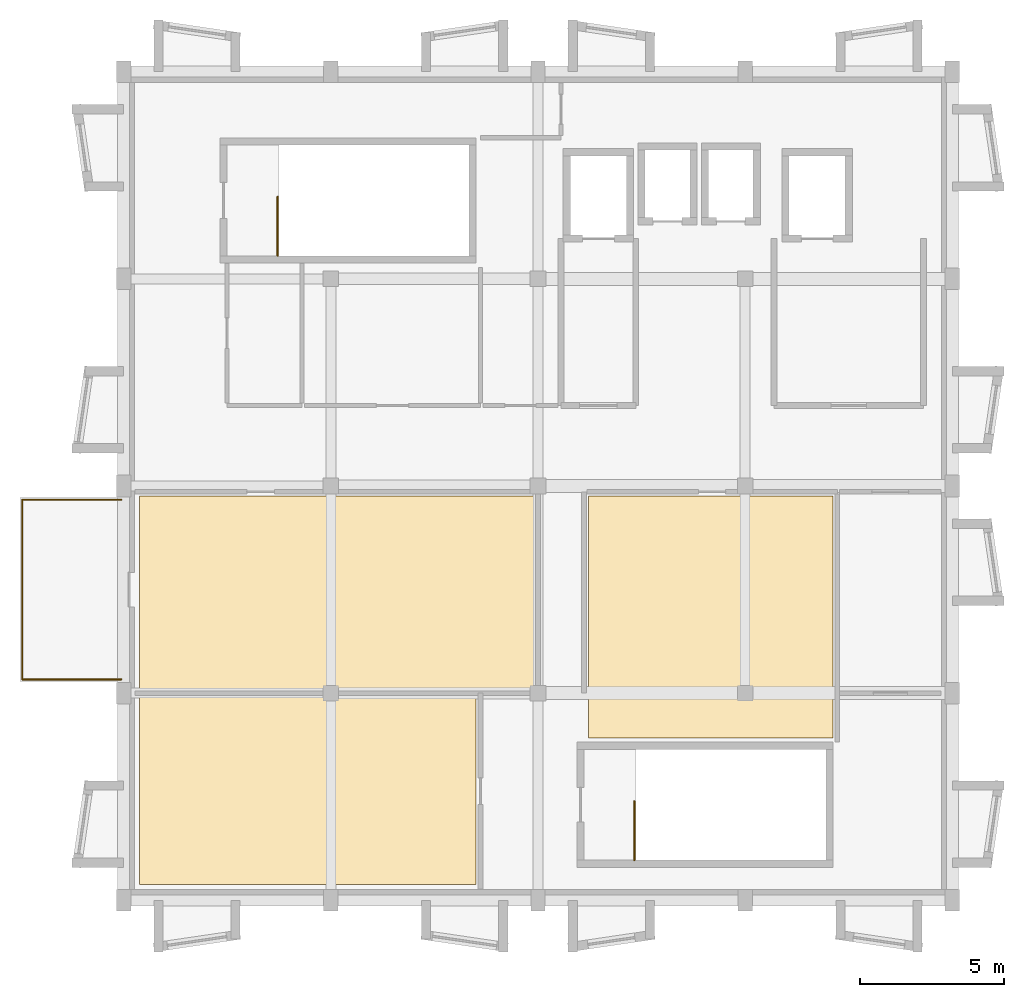
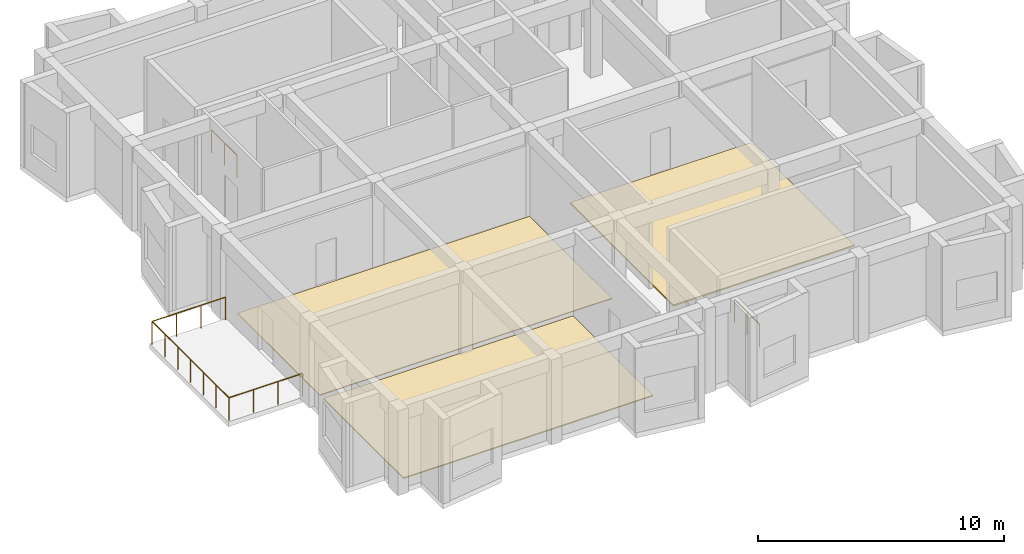
# One storey, part 5 of 5: 5 railings, 3 coverings.
"""IFC4 building model written with IfcOpenShell, lengths in metres."""

from ifc_helpers import new_model, si_unit, direction, frame, origin, origin_2d, place, context, subcontext, project, spatial, polyline, circle, outline, extrude, material, layer, layer_set, type_object, element, save


model = new_model("IFC4")

# Units and contexts
model_context = context("Model", 3, precision=1e-05, world=origin(), true_north=direction((0.0, 1.0)))
body_context = subcontext(model_context, "Body", "Model", "MODEL_VIEW")
ifc_project = project(units=[si_unit("LENGTHUNIT", "METRE"), si_unit("AREAUNIT", "SQUARE_METRE"), si_unit("VOLUMEUNIT", "CUBIC_METRE"), si_unit("PLANEANGLEUNIT", "RADIAN"), si_unit("MASSUNIT", "GRAM", prefix="KILO")], contexts=[model_context])

# Site, building, storey
site_placement = place(None, origin())
site = spatial("IfcSite", under=ifc_project, at=site_placement, CompositionType="ELEMENT")
building_placement = place(site_placement, origin())
building = spatial("IfcBuilding", under=site, at=building_placement, Name="Bramveld Media Centre", CompositionType="ELEMENT")
storey_placement = place(building_placement, frame((0.0, 0.0, 29.699951171875)))
storey = spatial("IfcBuildingStorey", under=building, at=storey_placement, Name="L07", CompositionType="ELEMENT", Elevation=29.699951171875)

# Coverings
ifc_material_1 = material(Name="Floating acoustic screed with smoked European oak studio flooring")
ifc_layer_1 = layer(ifc_material_1, 0.06494140625)
ifc_layer_set_1 = layer_set([ifc_layer_1], Name="Floating acoustic screed with smoked European oak studio flooring")
covering_type_1 = type_object("IfcCoveringType", Name="COV-FLOOR-01", PredefinedType="FLOORING", material=ifc_layer_set_1)
covering_1_placement = place(storey_placement, origin())
element("IfcCovering", 1, at=covering_1_placement, inside=storey, type_object=covering_type_1, Name="Civic Media Symposium & Press Hall finish flooring", PredefinedType="FLOORING", context=body_context, shape_type="SweptSolid", body=[
    extrude(outline(polyline([(147.35009765625, 88.85009765625), (155.85009765625, 88.85009765625), (155.85009765625, 97.25), (147.35009765625, 97.25), (147.35009765625, 88.85009765625)])), origin(), (0.0, 0.0, 1.0), 0.06494140625),
])
ifc_material_2 = material(Name="Honed Belgian bluestone (petit granit) public concourse flooring", Category="masonry")
ifc_layer_2 = layer(ifc_material_2, 0.050048828125)
ifc_layer_set_2 = layer_set([ifc_layer_2], Name="Honed Belgian bluestone (petit granit) public concourse flooring")
covering_type_2 = type_object("IfcCoveringType", Name="COV-FLOOR-02", PredefinedType="FLOORING", material=ifc_layer_set_2)
covering_2_placement = place(storey_placement, origin())
element("IfcCovering", 2, at=covering_2_placement, inside=storey, type_object=covering_type_2, Name="Panorama Broadcast Screening Studio finish flooring", PredefinedType="FLOORING", context=body_context, shape_type="SweptSolid", body=[
    extrude(outline(polyline([(131.75, 83.75), (143.449951171875, 83.75), (143.449951171875, 90.25), (131.75, 90.25), (131.75, 83.75)])), origin(), (0.0, 0.0, 1.0), 0.050048828125),
])
ifc_material_3 = material(Name="Anti-static acoustic linoleum editing & vault flooring")
ifc_layer_3 = layer(ifc_material_3, 0.0400390625)
ifc_layer_set_3 = layer_set([ifc_layer_3], Name="Anti-static acoustic linoleum editing & vault flooring")
covering_type_3 = type_object("IfcCoveringType", Name="COV-FLOOR-03", PredefinedType="FLOORING", material=ifc_layer_set_3)
covering_3_placement = place(storey_placement, origin())
element("IfcCovering", 3, at=covering_3_placement, inside=storey, type_object=covering_type_3, Name="Panorama Live Interview Studio finish flooring", PredefinedType="FLOORING", context=body_context, shape_type="SweptSolid", body=[
    extrude(outline(polyline([(131.75, 90.550048828125), (145.449951171875, 90.550048828125), (145.449951171875, 97.25), (131.75, 97.25), (131.75, 90.550048828125)])), origin(), (0.0, 0.0, 1.0), 0.0400390625),
])

# Railings
ifc_material_4 = material(Name="Painted galvanized steel stairwell guardrail", Category="steel")
railing_type_1 = type_object("IfcRailingType", Name="RAIL-STAIR-GUARD-1150", PredefinedType="GUARDRAIL", material=ifc_material_4)
for number, where, name in (
    (4, (136.550048828125, 105.60009765625, 0.0), "L07 ST-01 top well guard 1"),
    (5, (148.949951171875, 84.60009765625, 0.0), "L07 ST-02 top well guard 1"),
):
    element("IfcRailing", number, at=place(storey_placement, frame(where)), inside=storey, type_object=railing_type_1, Name=name, PredefinedType="GUARDRAIL", context=body_context, shape_type="SweptSolid", body=[
        extrude(circle(Radius=0.02392578125, at=origin_2d()), frame((0.0, 0.0, 1.1259765625), z_axis=(0.0, 1.0, 0.0), x_axis=(-1.0, 0.0, 0.0)), (0.0, 0.0, 1.0), 2.0498046875),
        extrude(circle(Radius=0.02099609375, at=origin_2d()), origin(), (0.0, 0.0, 1.0), 1.101806640625),
        extrude(circle(Radius=0.02099609375, at=origin_2d()), frame((0.0, 1.02490234375, 0.0)), (0.0, 0.0, 1.0), 1.101806640625),
        extrude(circle(Radius=0.02099609375, at=origin_2d()), frame((0.0, 2.0498046875, 0.0)), (0.0, 0.0, 1.0), 1.101806640625),
    ])
ifc_material_5 = material(Name="Powder-coated bronze galvanized steel balustrade", Category="steel")
railing_type_2 = type_object("IfcRailingType", Name="RAIL-TERRACE-1150", PredefinedType="GUARDRAIL", material=ifc_material_5)
railing_1_placement = place(storey_placement, frame((127.679931640625, 90.8798828125, 0.0)))
element("IfcRailing", 6, at=railing_1_placement, inside=storey, type_object=railing_type_2, Name="Press Panorama Balcony L07 S guardrail", PredefinedType="GUARDRAIL", context=body_context, shape_type="SweptSolid", body=[
    extrude(circle(Radius=0.02392578125, at=origin_2d()), frame((0.0, 0.0, 1.1259765625), z_axis=(1.0, 0.0, 0.0), x_axis=(0.0, 1.0, 0.0)), (0.0, 0.0, 1.0), 3.440185546875),
    extrude(circle(Radius=0.02099609375, at=origin_2d()), origin(), (0.0, 0.0, 1.0), 1.101806640625),
    extrude(circle(Radius=0.02099609375, at=origin_2d()), frame((1.146728515625, 0.0, 0.0)), (0.0, 0.0, 1.0), 1.101806640625),
    extrude(circle(Radius=0.02099609375, at=origin_2d()), frame((2.29345703125, 0.0, 0.0)), (0.0, 0.0, 1.0), 1.101806640625),
    extrude(circle(Radius=0.02099609375, at=origin_2d()), frame((3.440185546875, 0.0, 0.0)), (0.0, 0.0, 1.0), 1.101806640625),
])
railing_2_placement = place(storey_placement, frame((127.679931640625, 97.1201171875, 0.0)))
element("IfcRailing", 7, at=railing_2_placement, inside=storey, type_object=railing_type_2, Name="Press Panorama Balcony L07 W guardrail", PredefinedType="GUARDRAIL", context=body_context, shape_type="SweptSolid", body=[
    extrude(circle(Radius=0.02392578125, at=origin_2d()), frame((0.0, 0.0, 1.1259765625), z_axis=(0.0, -1.0, 0.0), x_axis=(1.0, 0.0, 0.0)), (0.0, 0.0, 1.0), 6.240234375),
    extrude(circle(Radius=0.02099609375, at=origin_2d()), origin(), (0.0, 0.0, 1.0), 1.101806640625),
    extrude(circle(Radius=0.02099609375, at=origin_2d()), frame((0.0, -1.0400390625, 0.0)), (0.0, 0.0, 1.0), 1.101806640625),
    extrude(circle(Radius=0.02099609375, at=origin_2d()), frame((0.0, -2.080078125, 0.0)), (0.0, 0.0, 1.0), 1.101806640625),
    extrude(circle(Radius=0.02099609375, at=origin_2d()), frame((0.0, -3.1201171875, 0.0)), (0.0, 0.0, 1.0), 1.101806640625),
    extrude(circle(Radius=0.02099609375, at=origin_2d()), frame((0.0, -4.16015625, 0.0)), (0.0, 0.0, 1.0), 1.101806640625),
    extrude(circle(Radius=0.02099609375, at=origin_2d()), frame((0.0, -5.2001953125, 0.0)), (0.0, 0.0, 1.0), 1.101806640625),
    extrude(circle(Radius=0.02099609375, at=origin_2d()), frame((0.0, -6.240234375, 0.0)), (0.0, 0.0, 1.0), 1.101806640625),
])
railing_3_placement = place(storey_placement, frame((131.1201171875, 97.1201171875, 0.0)))
element("IfcRailing", 8, at=railing_3_placement, inside=storey, type_object=railing_type_2, Name="Press Panorama Balcony L07 N guardrail", PredefinedType="GUARDRAIL", context=body_context, shape_type="SweptSolid", body=[
    extrude(circle(Radius=0.02392578125, at=origin_2d()), frame((0.0, 0.0, 1.1259765625), z_axis=(-1.0, 0.0, 0.0), x_axis=(0.0, -1.0, 0.0)), (0.0, 0.0, 1.0), 3.440185546875),
    extrude(circle(Radius=0.02099609375, at=origin_2d()), origin(), (0.0, 0.0, 1.0), 1.101806640625),
    extrude(circle(Radius=0.02099609375, at=origin_2d()), frame((-1.146728515625, 0.0, 0.0)), (0.0, 0.0, 1.0), 1.101806640625),
    extrude(circle(Radius=0.02099609375, at=origin_2d()), frame((-2.29345703125, 0.0, 0.0)), (0.0, 0.0, 1.0), 1.101806640625),
    extrude(circle(Radius=0.02099609375, at=origin_2d()), frame((-3.440185546875, 0.0, 0.0)), (0.0, 0.0, 1.0), 1.101806640625),
])

save(model, "model.ifc")
